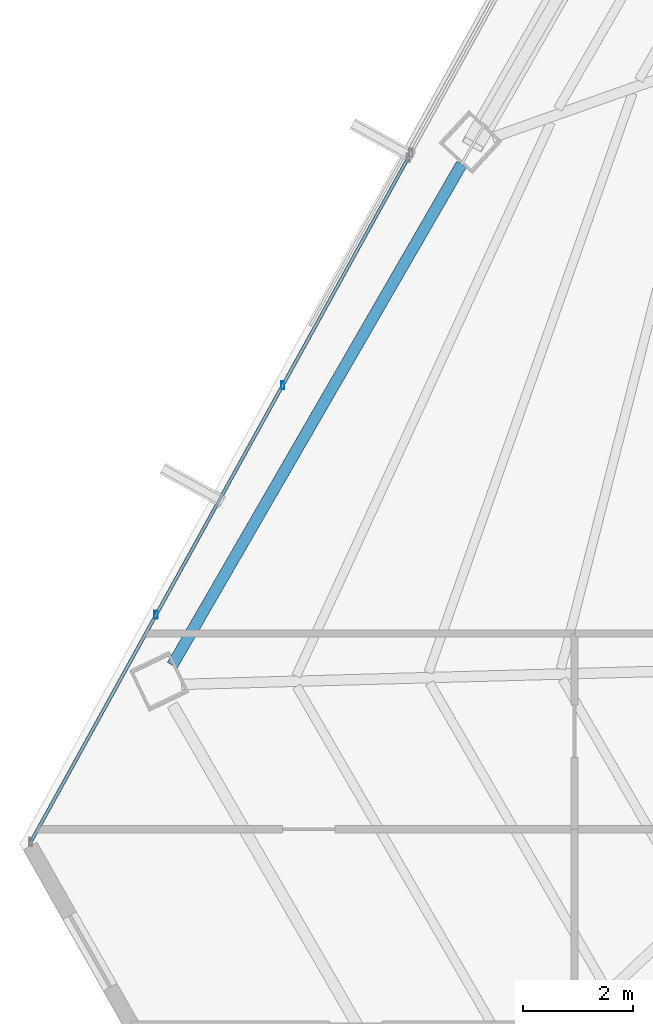
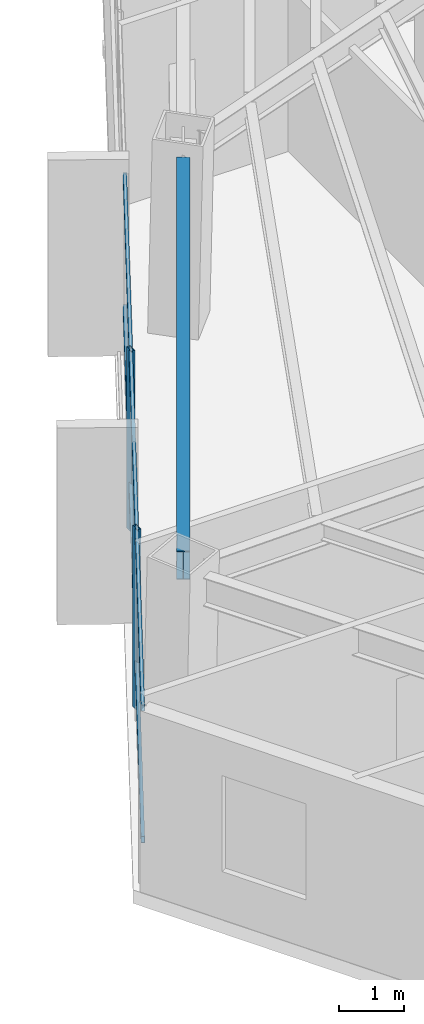
# One storey, part 7 of 42: 4 members, 1 beam, 1 element without a shape of its own.
"""IFC4 building model written with IfcOpenShell, lengths in metres."""

from ifc_helpers import new_model, si_unit, direction, frame, origin, origin_2d, place, context, subcontext, project, spatial, hollow_rectangle, i_section, extrude, source, transform, mapped, material, material_profile, profile_set, type_object, type_shapes, element, aggregate, save


model = new_model("IFC4")

# Units and contexts
model_context = context("Model", 3, precision=1e-05, world=origin(), true_north=direction((0.0, 1.0)))
body_context = subcontext(model_context, "Body", "Model", "MODEL_VIEW")
ifc_project = project(units=[si_unit("LENGTHUNIT", "METRE"), si_unit("AREAUNIT", "SQUARE_METRE"), si_unit("VOLUMEUNIT", "CUBIC_METRE"), si_unit("PLANEANGLEUNIT", "RADIAN"), si_unit("MASSUNIT", "GRAM", prefix="KILO")], contexts=[model_context])

# Site, building, storey
site_placement = place(None, origin())
site = spatial("IfcSite", under=ifc_project, at=site_placement, CompositionType="ELEMENT")
building_placement = place(site_placement, origin())
building = spatial("IfcBuilding", under=site, at=building_placement, Name="Caelisora Broadcast Tower", CompositionType="ELEMENT")
storey_placement = place(building_placement, frame((0.0, 0.0, 205.949951171875)))
storey = spatial("IfcBuildingStorey", under=building, at=storey_placement, Name="L54", CompositionType="ELEMENT", Elevation=205.949951171875)

# Beam
ifc_material_1 = material(Name="Steel Grade 350 (AS/NZS 3679.1)", Category="steel")
ifc_material_profile_1 = material_profile(ifc_material_1, i_section(OverallWidth=0.208984375, OverallDepth=0.532958984375, WebThickness=0.01025390625, FlangeThickness=0.015625, at=origin_2d()), Name="Steel Grade 350 (AS/NZS 3679.1)")
ifc_profile_set_1 = profile_set([ifc_material_profile_1], Name="Steel Grade 350 (AS/NZS 3679.1)")
beam_type = type_object("IfcBeamType", Name="PG05", PredefinedType="BEAM", material=ifc_profile_set_1)
shared_shape_1 = source(origin(), body_context, "Body", "SweptSolid", [
    extrude(i_section(OverallWidth=0.208984375, OverallDepth=0.532958984375, WebThickness=0.01025390625, FlangeThickness=0.015625, at=origin_2d()), origin(), (0.0, 0.0, 1.0), 10.556884765625),
])
type_shapes(beam_type, [shared_shape_1])
beam_placement = place(storey_placement, frame((21.43896484375, 26.505615234375, 3.133544921875), z_axis=(-0.50000671437, -0.866021527206, 0.0), x_axis=(0.866021527206, -0.50000671437, 0.0)))
element("IfcBeam", 1, at=beam_placement, inside=storey, type_object=beam_type, Name="L54 beam PG05", PredefinedType="BEAM", context=body_context, shape_type="MappedRepresentation", body=[
    mapped(shared_shape_1, transform((0.0, 0.0, 0.0), scale=1.0)),
])

# Curtain wall, members
ifc_material_2 = material(Name="Unitised Aluminium and Low-E Glass Curtain Wall", Category="glass")
curtain_wall_type = type_object("IfcCurtainWallType", Name="CW-Z4", PredefinedType="NOTDEFINED", material=ifc_material_2)
curtain_wall_placement = place(storey_placement, origin())
curtain_wall = element("IfcCurtainWall", 2, at=curtain_wall_placement, inside=storey, type_object=curtain_wall_type, Name="L54 curtain wall CW-Z4", PredefinedType="NOTDEFINED")
ifc_material_3 = material(Name="Aluminium 6063-T6 Anodised Terracotta Bronze", Category="aluminium")
ifc_material_profile_2 = material_profile(ifc_material_3, hollow_rectangle(XDim=0.06005859375, YDim=0.14990234375, WallThickness=0.00341796875, at=origin_2d()), Name="Aluminium 6063-T6 Anodised Terracotta Bronze")
ifc_profile_set_2 = profile_set([ifc_material_profile_2], Name="Aluminium 6063-T6 Anodised Terracotta Bronze")
member_type_1 = type_object("IfcMemberType", Name="CWM-03", PredefinedType="MULLION", material=ifc_profile_set_2)
shared_shape_2 = source(origin(), body_context, "Body", "SweptSolid", [
    extrude(hollow_rectangle(XDim=0.06005859375, YDim=0.14990234375, WallThickness=0.00341796875, at=origin_2d()), origin(), (0.0, 0.0, 1.0), 3.400146484375),
])
type_shapes(member_type_1, [shared_shape_2])
member_1_placement = place(storey_placement, frame((15.864990234375, 18.2822265625, 0.0), z_axis=(0.0, 0.0, 1.0), x_axis=(1.0, 0.0, 0.0)))
member_1 = element("IfcMember", 3, at=member_1_placement, type_object=member_type_1, Name="L54-CW-B09 mullion #1", PredefinedType="MULLION", context=body_context, shape_type="MappedRepresentation", body=[
    mapped(shared_shape_2, transform((0.0, 0.0, 0.0), scale=1.0)),
])
member_2_placement = place(storey_placement, frame((18.177001953125, 22.47265625, 0.0), z_axis=(0.0, 0.0, 1.0), x_axis=(1.0, 0.0, 0.0)))
member_2 = element("IfcMember", 4, at=member_2_placement, type_object=member_type_1, Name="L54-CW-B09 mullion #2", PredefinedType="MULLION", context=body_context, shape_type="MappedRepresentation", body=[
    mapped(shared_shape_2, transform((0.0, 0.0, 0.0), scale=1.0)),
])
ifc_material_profile_3 = material_profile(ifc_material_3, hollow_rectangle(XDim=0.06005859375, YDim=0.1201171875, WallThickness=0.0029296875, at=origin_2d()), Name="Aluminium 6063-T6 Anodised Terracotta Bronze")
ifc_profile_set_3 = profile_set([ifc_material_profile_3], Name="Aluminium 6063-T6 Anodised Terracotta Bronze")
member_type_2 = type_object("IfcMemberType", Name="CWT-03", PredefinedType="USERDEFINED", material=ifc_profile_set_3)
shared_shape_3 = source(origin(), body_context, "Body", "SweptSolid", [
    extrude(hollow_rectangle(XDim=0.06005859375, YDim=0.1201171875, WallThickness=0.0029296875, at=origin_2d()), origin(), (0.0, 0.0, 1.0), 14.25732421875),
])
type_shapes(member_type_2, [shared_shape_3])
member_3_placement = place(storey_placement, frame((13.5771484375, 14.1357421875, 0.85009765625), z_axis=(0.483080511676, 0.875575935735, 0.0), x_axis=(-0.875575935735, 0.483080511676, 0.0)))
member_3 = element("IfcMember", 5, at=member_3_placement, type_object=member_type_2, Name="L54-CW-B09 transom #1", ObjectType="TRANSOM", PredefinedType="USERDEFINED", context=body_context, shape_type="MappedRepresentation", body=[
    mapped(shared_shape_3, transform((0.0, 0.0, 0.0), scale=1.0)),
])
member_4_placement = place(storey_placement, frame((13.5771484375, 14.1357421875, 3.320068359375), z_axis=(0.483080511676, 0.875575935735, 0.0), x_axis=(-0.875575935735, 0.483080511676, 0.0)))
member_4 = element("IfcMember", 6, at=member_4_placement, type_object=member_type_2, Name="L54-CW-B09 transom #2", ObjectType="TRANSOM", PredefinedType="USERDEFINED", context=body_context, shape_type="MappedRepresentation", body=[
    mapped(shared_shape_3, transform((0.0, 0.0, 0.0), scale=1.0)),
])
aggregate(curtain_wall, [member_1, member_2, member_3, member_4])

save(model, "model.ifc")
